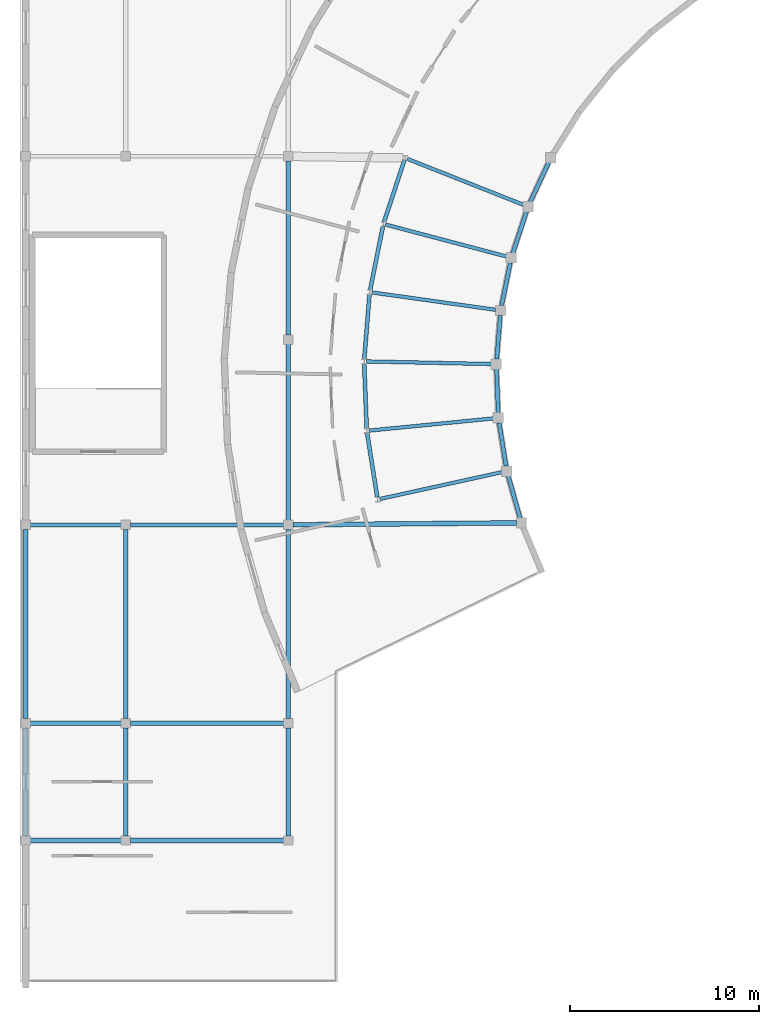
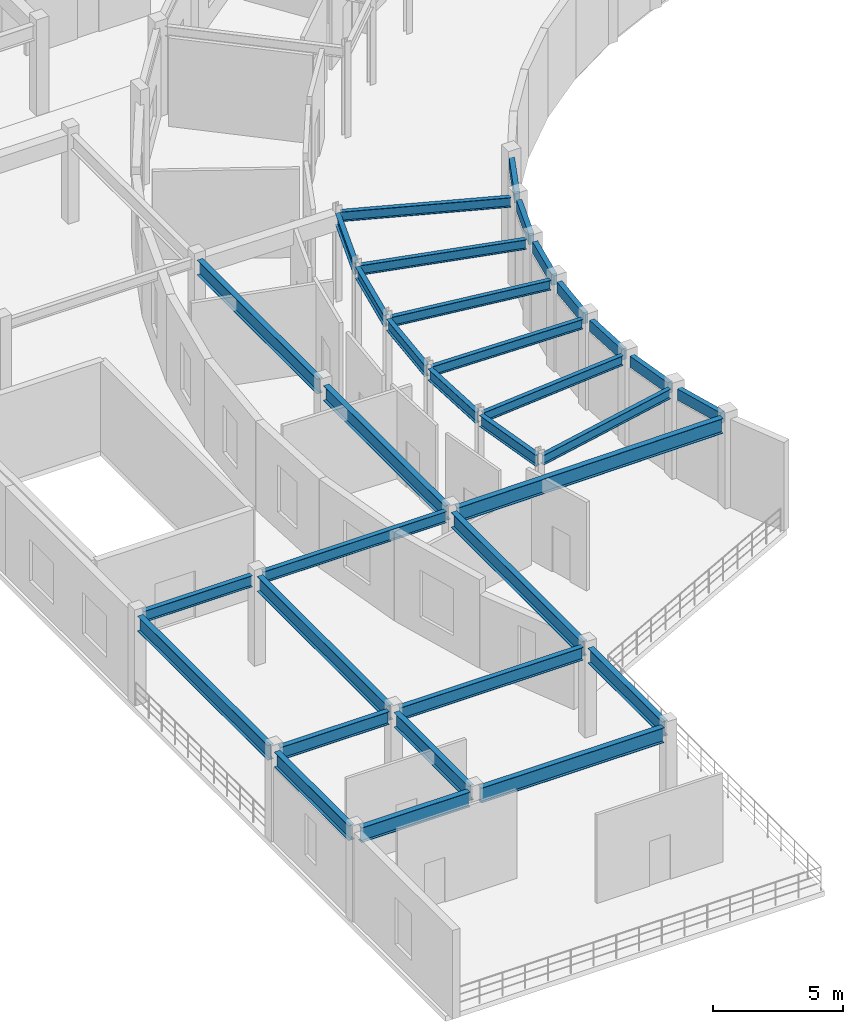
# One storey, part 14 of 60: 33 beams.
"""IFC4 building model written with IfcOpenShell, lengths in metres."""

from ifc_helpers import new_model, si_unit, direction, frame, origin, origin_2d, place, context, subcontext, project, spatial, rectangle, i_section, extrude, material, material_profile, profile_set, type_object, element, save


model = new_model("IFC4")

# Units and contexts
model_context = context("Model", 3, precision=1e-05, world=origin(), true_north=direction((0.0, 1.0)))
body_context = subcontext(model_context, "Body", "Model", "MODEL_VIEW")
ifc_project = project(units=[si_unit("LENGTHUNIT", "METRE"), si_unit("AREAUNIT", "SQUARE_METRE"), si_unit("VOLUMEUNIT", "CUBIC_METRE"), si_unit("PLANEANGLEUNIT", "RADIAN"), si_unit("MASSUNIT", "GRAM", prefix="KILO")], contexts=[model_context])

# Site, building, storey
site_placement = place(None, origin())
site = spatial("IfcSite", under=ifc_project, at=site_placement, CompositionType="ELEMENT")
building_placement = place(site_placement, origin())
building = spatial("IfcBuilding", under=site, at=building_placement, Name="Cinderbank Siding Concert Hall", CompositionType="ELEMENT")
storey_placement = place(building_placement, frame((0.0, 0.0, 14.699951171875)))
storey = spatial("IfcBuildingStorey", under=building, at=storey_placement, Name="L04", CompositionType="ELEMENT", Elevation=14.699951171875)

# Beams
ifc_material_1 = material(Name="Structural steel AS/NZS 3679.1 Grade 350 (340 MPa)", Category="steel")
ifc_material_profile_1 = material_profile(ifc_material_1, i_section(OverallWidth=0.18994140625, OverallDepth=0.45751953125, WebThickness=0.009033203125, FlangeThickness=0.014404296875, at=origin_2d()), Name="460UB74.6", Category="LoadBearing")
ifc_profile_set_1 = profile_set([ifc_material_profile_1], Name="Structural steel AS/NZS 3679.1 Grade 350 (340 MPa)")
beam_type_1 = type_object("IfcBeamType", Name="BM-UB460 460UB74.6", PredefinedType="BEAM", material=ifc_profile_set_1)
beam_1_placement = place(storey_placement, frame((33.43701171875, 76.933349609375, 3.933349609375), z_axis=(-0.929777130015, 0.368122925801, 0.0), x_axis=(-0.368122925801, -0.929777130015, 0.0)))
element("IfcBeam", 1, at=beam_1_placement, inside=storey, type_object=beam_type_1, Name="L04 Beam BM-UB460 #1047", PredefinedType="BEAM", context=body_context, shape_type="SweptSolid", body=[
    extrude(i_section(OverallWidth=0.18994140625, OverallDepth=0.45751953125, WebThickness=0.009033203125, FlangeThickness=0.014404296875, at=origin_2d()), origin(), (0.0, 0.0, 1.0), 6.61279296875),
])
for number, where, z_axis, x_axis, name in (
    (2, (32.5380859375, 74.198974609375, 3.933349609375), (-0.966824920917, 0.255439958295, 0.0), (-0.255439958295, -0.966824920917, 0.0), "L04 Beam BM-UB460 #1050"),
    (3, (31.96923828125, 71.37744140625, 3.933349609375), (-0.990272481241, 0.139141700783, 0.0), (-0.139141700783, -0.990272481241, 0.0), "L04 Beam BM-UB460 #1053"),
    (4, (31.73828125, 68.50830078125, 3.933349609375), (-0.999780889106, 0.020932600869, 0.0), (-0.020932600869, -0.999780889106, 0.0), "L04 Beam BM-UB460 #1056"),
    (5, (31.848876953125, 65.6318359375, 3.933349609375), (-0.99522831424, -0.097573574988, 0.0), (0.097573574988, -0.99522831424, 0.0), "L04 Beam BM-UB460 #1059"),
    (6, (32.299072265625, 62.7890625, 3.933349609375), (-0.976668476388, -0.214752618679, 0.0), (0.214752618679, -0.976668476388, 0.0), "L04 Beam BM-UB460 #1062"),
):
    element("IfcBeam", number, at=place(storey_placement, frame(where, z_axis=z_axis, x_axis=x_axis)), inside=storey, type_object=beam_type_1, Name=name, PredefinedType="BEAM", context=body_context, shape_type="SweptSolid", body=[
        extrude(i_section(OverallWidth=0.18994140625, OverallDepth=0.45751953125, WebThickness=0.009033203125, FlangeThickness=0.014404296875, at=origin_2d()), origin(), (0.0, 0.0, 1.0), 6.613037109375),
    ])
ifc_material_profile_2 = material_profile(ifc_material_1, i_section(OverallWidth=0.208984375, OverallDepth=0.5283203125, WebThickness=0.009521484375, FlangeThickness=0.01318359375, at=origin_2d()), Name="530UB82.0", Category="LoadBearing")
ifc_profile_set_2 = profile_set([ifc_material_profile_2], Name="Structural steel AS/NZS 3679.1 Grade 350 (340 MPa)")
beam_type_2 = type_object("IfcBeamType", Name="BM-UB530 530UB82.0", PredefinedType="BEAM", material=ifc_profile_set_2)
beam_2_placement = place(storey_placement, frame((27.139404296875, 79.2978515625, 3.89794921875), z_axis=(-0.312325465538, -0.949975159452, 0.0), x_axis=(0.949975159452, -0.312325465538, 0.0)))
element("IfcBeam", 7, at=beam_2_placement, inside=storey, type_object=beam_type_2, Name="L04 Beam BM-UB530 #1049", PredefinedType="BEAM", context=body_context, shape_type="SweptSolid", body=[
    extrude(i_section(OverallWidth=0.208984375, OverallDepth=0.5283203125, WebThickness=0.009521484375, FlangeThickness=0.01318359375, at=origin_2d()), origin(), (0.0, 0.0, 1.0), 3.43701171875),
])
beam_3_placement = place(storey_placement, frame((26.0048828125, 75.80126953125, 3.89794921875), z_axis=(-0.197673056969, -0.98026800547, 0.0), x_axis=(0.98026800547, -0.197673056969, 0.0)))
element("IfcBeam", 8, at=beam_3_placement, inside=storey, type_object=beam_type_2, Name="L04 Beam BM-UB530 #1052", PredefinedType="BEAM", context=body_context, shape_type="SweptSolid", body=[
    extrude(i_section(OverallWidth=0.208984375, OverallDepth=0.5283203125, WebThickness=0.009521484375, FlangeThickness=0.01318359375, at=origin_2d()), origin(), (0.0, 0.0, 1.0), 3.437255859375),
])
for number, where, z_axis, x_axis, name in (
    (9, (25.2919921875, 72.19482421875, 3.89794921875), (-0.080194099058, -0.996779266677, 0.0), (0.996779266677, -0.080194099058, 0.0), "L04 Beam BM-UB530 #1055"),
    (10, (25.011474609375, 68.529296875, 3.89794921875), (0.038356740057, -0.999264109479, 0.0), (0.999264109479, 0.038356740057, 0.0), "L04 Beam BM-UB530 #1058"),
    (11, (25.166748046875, 64.8564453125, 3.89794921875), (0.15641120725, -0.987692023986, 0.0), (0.987692023986, 0.15641120725, 0.0), "L04 Beam BM-UB530 #1061"),
):
    element("IfcBeam", number, at=place(storey_placement, frame(where, z_axis=z_axis, x_axis=x_axis)), inside=storey, type_object=beam_type_2, Name=name, PredefinedType="BEAM", context=body_context, shape_type="SweptSolid", body=[
        extrude(i_section(OverallWidth=0.208984375, OverallDepth=0.5283203125, WebThickness=0.009521484375, FlangeThickness=0.01318359375, at=origin_2d()), origin(), (0.0, 0.0, 1.0), 3.43701171875),
    ])
beam_4_placement = place(storey_placement, frame((7.342041015625, 60.0, 3.907958984375), z_axis=(1.0, 0.0, 0.0), x_axis=(0.0, 1.0, 0.0)))
element("IfcBeam", 12, at=beam_4_placement, inside=storey, type_object=beam_type_2, Name="L04 Beam BM-UB530 #1882", PredefinedType="BEAM", context=body_context, shape_type="SweptSolid", body=[
    extrude(i_section(OverallWidth=0.208984375, OverallDepth=0.5283203125, WebThickness=0.009521484375, FlangeThickness=0.01318359375, at=origin_2d()), origin(), (0.0, 0.0, 1.0), 4.81591796875),
])
beam_5_placement = place(storey_placement, frame((12.64208984375, 60.0, 3.89794921875), z_axis=(1.0, 0.0, 0.0), x_axis=(0.0, 1.0, 0.0)))
element("IfcBeam", 13, at=beam_5_placement, inside=storey, type_object=beam_type_2, Name="L04 Beam BM-UB530 #1891", PredefinedType="BEAM", context=body_context, shape_type="SweptSolid", body=[
    extrude(i_section(OverallWidth=0.208984375, OverallDepth=0.5283203125, WebThickness=0.009521484375, FlangeThickness=0.01318359375, at=origin_2d()), origin(), (0.0, 0.0, 1.0), 8.115966796875),
])
ifc_material_profile_3 = material_profile(ifc_material_1, i_section(OverallWidth=0.22802734375, OverallDepth=0.602294921875, WebThickness=0.010498046875, FlangeThickness=0.014892578125, at=origin_2d()), Name="610UB101", Category="LoadBearing")
ifc_profile_set_3 = profile_set([ifc_material_profile_3], Name="Structural steel AS/NZS 3679.1 Grade 350 (340 MPa)")
beam_type_3 = type_object("IfcBeamType", Name="BM-UB610 610UB101", PredefinedType="BEAM", material=ifc_profile_set_3)
beam_6_placement = place(storey_placement, frame((7.342041015625, 49.5, 3.870849609375), z_axis=(1.0, 0.0, 0.0), x_axis=(0.0, 1.0, 0.0)))
element("IfcBeam", 14, at=beam_6_placement, inside=storey, type_object=beam_type_3, Name="L04 Beam BM-UB610 #1880", PredefinedType="BEAM", context=body_context, shape_type="SweptSolid", body=[
    extrude(i_section(OverallWidth=0.22802734375, OverallDepth=0.602294921875, WebThickness=0.010498046875, FlangeThickness=0.014892578125, at=origin_2d()), origin(), (0.0, 0.0, 1.0), 4.81591796875),
])
beam_7_placement = place(storey_placement, frame((12.64208984375, 49.5, 3.870849609375), z_axis=(1.0, 0.0, 0.0), x_axis=(0.0, 1.0, 0.0)))
element("IfcBeam", 15, at=beam_7_placement, inside=storey, type_object=beam_type_3, Name="L04 Beam BM-UB610 #1889", PredefinedType="BEAM", context=body_context, shape_type="SweptSolid", body=[
    extrude(i_section(OverallWidth=0.22802734375, OverallDepth=0.602294921875, WebThickness=0.010498046875, FlangeThickness=0.014892578125, at=origin_2d()), origin(), (0.0, 0.0, 1.0), 8.115966796875),
])
ifc_material_2 = material(Name="Structural steel welded plate section AS/NZS 3679.2 / AS/NZS 3678 Grade 350 (340 MPa)", Category="steel")
ifc_material_profile_4 = material_profile(ifc_material_2, i_section(OverallWidth=0.25, OverallDepth=0.699951171875, WebThickness=0.010009765625, FlangeThickness=0.01611328125, at=origin_2d()), Name="700WB130", Category="LoadBearing")
ifc_profile_set_4 = profile_set([ifc_material_profile_4], Name="Structural steel welded plate section AS/NZS 3679.2 / AS/NZS 3678 Grade 350 (340 MPa)")
beam_type_4 = type_object("IfcBeamType", Name="BM-WB700 700WB130", PredefinedType="BEAM", material=ifc_profile_set_4)
beam_8_placement = place(storey_placement, frame((7.342041015625, 43.300048828125, 3.822021484375), z_axis=(1.0, 0.0, 0.0), x_axis=(0.0, 1.0, 0.0)))
element("IfcBeam", 16, at=beam_8_placement, inside=storey, type_object=beam_type_4, Name="L04 Beam BM-WB700 #1878", PredefinedType="BEAM", context=body_context, shape_type="SweptSolid", body=[
    extrude(i_section(OverallWidth=0.25, OverallDepth=0.699951171875, WebThickness=0.010009765625, FlangeThickness=0.01611328125, at=origin_2d()), origin(), (0.0, 0.0, 1.0), 4.81591796875),
])
beam_9_placement = place(storey_placement, frame((7.10009765625, 43.5419921875, 3.822021484375), z_axis=(0.0, 1.0, 0.0), x_axis=(-1.0, 0.0, 0.0)))
element("IfcBeam", 17, at=beam_9_placement, inside=storey, type_object=beam_type_4, Name="L04 Beam BM-WB700 #1879", PredefinedType="BEAM", context=body_context, shape_type="SweptSolid", body=[
    extrude(i_section(OverallWidth=0.25, OverallDepth=0.699951171875, WebThickness=0.010009765625, FlangeThickness=0.01611328125, at=origin_2d()), origin(), (0.0, 0.0, 1.0), 5.716064453125),
])
beam_10_placement = place(storey_placement, frame((7.10009765625, 49.741943359375, 3.822021484375), z_axis=(0.0, 1.0, 0.0), x_axis=(-1.0, 0.0, 0.0)))
element("IfcBeam", 18, at=beam_10_placement, inside=storey, type_object=beam_type_4, Name="L04 Beam BM-WB700 #1881", PredefinedType="BEAM", context=body_context, shape_type="SweptSolid", body=[
    extrude(i_section(OverallWidth=0.25, OverallDepth=0.699951171875, WebThickness=0.010009765625, FlangeThickness=0.01611328125, at=origin_2d()), origin(), (0.0, 0.0, 1.0), 10.01611328125),
])
beam_11_placement = place(storey_placement, frame((12.64208984375, 43.300048828125, 3.822021484375), z_axis=(1.0, 0.0, 0.0), x_axis=(0.0, 1.0, 0.0)))
element("IfcBeam", 19, at=beam_11_placement, inside=storey, type_object=beam_type_4, Name="L04 Beam BM-WB700 #1887", PredefinedType="BEAM", context=body_context, shape_type="SweptSolid", body=[
    extrude(i_section(OverallWidth=0.25, OverallDepth=0.699951171875, WebThickness=0.010009765625, FlangeThickness=0.01611328125, at=origin_2d()), origin(), (0.0, 0.0, 1.0), 8.115966796875),
])
beam_12_placement = place(storey_placement, frame((12.39990234375, 43.5419921875, 3.822021484375), z_axis=(0.0, 1.0, 0.0), x_axis=(-1.0, 0.0, 0.0)))
element("IfcBeam", 20, at=beam_12_placement, inside=storey, type_object=beam_type_4, Name="L04 Beam BM-WB700 #1888", PredefinedType="BEAM", context=body_context, shape_type="SweptSolid", body=[
    extrude(i_section(OverallWidth=0.25, OverallDepth=0.699951171875, WebThickness=0.010009765625, FlangeThickness=0.01611328125, at=origin_2d()), origin(), (0.0, 0.0, 1.0), 5.716064453125),
])
beam_13_placement = place(storey_placement, frame((12.39990234375, 49.741943359375, 3.822021484375), z_axis=(0.0, 1.0, 0.0), x_axis=(-1.0, 0.0, 0.0)))
element("IfcBeam", 21, at=beam_13_placement, inside=storey, type_object=beam_type_4, Name="L04 Beam BM-WB700 #1890", PredefinedType="BEAM", context=body_context, shape_type="SweptSolid", body=[
    extrude(i_section(OverallWidth=0.25, OverallDepth=0.699951171875, WebThickness=0.010009765625, FlangeThickness=0.01611328125, at=origin_2d()), origin(), (0.0, 0.0, 1.0), 10.01611328125),
])
beam_14_placement = place(storey_placement, frame((21.0, 43.5419921875, 3.822021484375), z_axis=(0.0, 1.0, 0.0), x_axis=(-1.0, 0.0, 0.0)))
element("IfcBeam", 22, at=beam_14_placement, inside=storey, type_object=beam_type_4, Name="L04 Beam BM-WB700 #1895", PredefinedType="BEAM", context=body_context, shape_type="SweptSolid", body=[
    extrude(i_section(OverallWidth=0.25, OverallDepth=0.699951171875, WebThickness=0.010009765625, FlangeThickness=0.01611328125, at=origin_2d()), origin(), (0.0, 0.0, 1.0), 5.716064453125),
])
beam_15_placement = place(storey_placement, frame((21.0, 49.741943359375, 3.81201171875), z_axis=(0.0, 1.0, 0.0), x_axis=(-1.0, 0.0, 0.0)))
element("IfcBeam", 23, at=beam_15_placement, inside=storey, type_object=beam_type_4, Name="L04 Beam BM-WB700 #1896", PredefinedType="BEAM", context=body_context, shape_type="SweptSolid", body=[
    extrude(i_section(OverallWidth=0.25, OverallDepth=0.699951171875, WebThickness=0.010009765625, FlangeThickness=0.01611328125, at=origin_2d()), origin(), (0.0, 0.0, 1.0), 10.01611328125),
])
beam_16_placement = place(storey_placement, frame((21.241943359375, 60.002197265625, 3.81201171875), z_axis=(0.999962413159, 0.008670194334, 0.0), x_axis=(-0.008670194334, 0.999962413159, 0.0)))
element("IfcBeam", 24, at=beam_16_placement, inside=storey, type_object=beam_type_4, Name="L04 Beam BM-WB700 #1897", PredefinedType="BEAM", context=body_context, shape_type="SweptSolid", body=[
    extrude(i_section(OverallWidth=0.25, OverallDepth=0.699951171875, WebThickness=0.010009765625, FlangeThickness=0.01611328125, at=origin_2d()), origin(), (0.0, 0.0, 1.0), 11.82666015625),
])
beam_17_placement = place(storey_placement, frame((21.0, 60.241943359375, 3.81201171875), z_axis=(0.0, 1.0, 0.0), x_axis=(-1.0, 0.0, 0.0)))
element("IfcBeam", 25, at=beam_17_placement, inside=storey, type_object=beam_type_4, Name="L04 Beam BM-WB700 #1898", PredefinedType="BEAM", context=body_context, shape_type="SweptSolid", body=[
    extrude(i_section(OverallWidth=0.25, OverallDepth=0.699951171875, WebThickness=0.010009765625, FlangeThickness=0.01611328125, at=origin_2d()), origin(), (0.0, 0.0, 1.0), 9.316162109375),
])
beam_18_placement = place(storey_placement, frame((21.0, 70.0419921875, 3.81201171875), z_axis=(0.0, 1.0, 0.0), x_axis=(-1.0, 0.0, 0.0)))
element("IfcBeam", 26, at=beam_18_placement, inside=storey, type_object=beam_type_4, Name="L04 Beam BM-WB700 #1899", PredefinedType="BEAM", context=body_context, shape_type="SweptSolid", body=[
    extrude(i_section(OverallWidth=0.25, OverallDepth=0.699951171875, WebThickness=0.010009765625, FlangeThickness=0.01611328125, at=origin_2d()), origin(), (0.0, 0.0, 1.0), 9.216064453125),
])
ifc_material_3 = material(Name="Spotted gum glulam timber GL18 (42 MPa)", Category="wood")
ifc_material_profile_5 = material_profile(ifc_material_3, rectangle(XDim=0.215087890625, YDim=0.52001953125, at=origin_2d()), Name="GL18-215x520", Category="LoadBearing")
ifc_profile_set_5 = profile_set([ifc_material_profile_5], Name="Spotted gum glulam timber GL18 (42 MPa)")
beam_type_5 = type_object("IfcBeamType", Name="SP-GL520 GL18-215x520", PredefinedType="SPANDREL", material=ifc_profile_set_5)
beam_19_placement = place(storey_placement, frame((34.775634765625, 79.173095703125, 3.902099609375), z_axis=(-0.422642750407, -0.906296367381, 0.0), x_axis=(0.906296367381, -0.422642750407, 0.0)))
element("IfcBeam", 27, at=beam_19_placement, inside=storey, type_object=beam_type_5, Name="L04 Beam SP-GL520 #1046", PredefinedType="SPANDREL", context=body_context, shape_type="SweptSolid", body=[
    extrude(rectangle(XDim=0.215087890625, YDim=0.52001953125, at=origin_2d()), origin(), (0.0, 0.0, 1.0), 2.31298828125),
])
for number, where, z_axis, x_axis, name in (
    (28, (33.60205078125, 76.581298828125, 3.902099609375), (-0.312361530126, -0.949963301658, 0.0), (0.949963301658, -0.312361530126, 0.0), "L04 Beam SP-GL520 #1048"),
    (29, (32.743408203125, 73.868896484375, 3.902099609375), (-0.19761817994, -0.980279069937, 0.0), (0.980279069937, -0.19761817994, 0.0), "L04 Beam SP-GL520 #1051"),
):
    element("IfcBeam", number, at=place(storey_placement, frame(where, z_axis=z_axis, x_axis=x_axis)), inside=storey, type_object=beam_type_5, Name=name, PredefinedType="SPANDREL", context=body_context, shape_type="SweptSolid", body=[
        extrude(rectangle(XDim=0.215087890625, YDim=0.52001953125, at=origin_2d()), origin(), (0.0, 0.0, 1.0), 2.312744140625),
    ])
beam_20_placement = place(storey_placement, frame((32.212158203125, 71.07421875, 3.902099609375), z_axis=(-0.08022349307, -0.996776901398, 0.0), x_axis=(0.996776901398, -0.08022349307, 0.0)))
element("IfcBeam", 30, at=beam_20_placement, inside=storey, type_object=beam_type_5, Name="L04 Beam SP-GL520 #1054", PredefinedType="SPANDREL", context=body_context, shape_type="SweptSolid", body=[
    extrude(rectangle(XDim=0.215087890625, YDim=0.52001953125, at=origin_2d()), origin(), (0.0, 0.0, 1.0), 2.31298828125),
])
for number, where, z_axis, x_axis, name in (
    (31, (32.015380859375, 68.23583984375, 3.902099609375), (0.038425013846, -0.999261486454, 0.0), (0.999261486454, 0.038425013846, 0.0), "L04 Beam SP-GL520 #1057"),
    (32, (32.15625, 65.394287109375, 3.902099609375), (0.15645044565, -0.987685809383, 0.0), (0.987685809383, 0.15645044565, 0.0), "L04 Beam SP-GL520 #1060"),
):
    element("IfcBeam", number, at=place(storey_placement, frame(where, z_axis=z_axis, x_axis=x_axis)), inside=storey, type_object=beam_type_5, Name=name, PredefinedType="SPANDREL", context=body_context, shape_type="SweptSolid", body=[
        extrude(rectangle(XDim=0.215087890625, YDim=0.52001953125, at=origin_2d()), origin(), (0.0, 0.0, 1.0), 2.312744140625),
    ])
beam_21_placement = place(storey_placement, frame((32.632568359375, 62.589599609375, 3.902099609375), z_axis=(0.27222473788, -0.962233699309, 0.0), x_axis=(0.962233699309, 0.27222473788, 0.0)))
element("IfcBeam", 33, at=beam_21_placement, inside=storey, type_object=beam_type_5, Name="L04 Beam SP-GL520 #1063", PredefinedType="SPANDREL", context=body_context, shape_type="SweptSolid", body=[
    extrude(rectangle(XDim=0.215087890625, YDim=0.52001953125, at=origin_2d()), origin(), (0.0, 0.0, 1.0), 2.31298828125),
])

save(model, "model.ifc")
